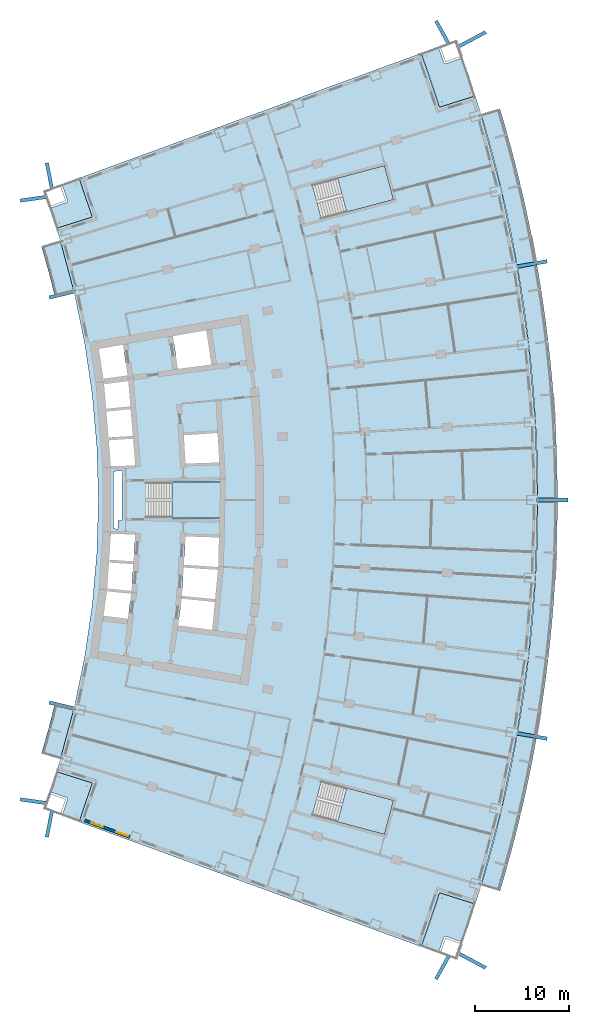
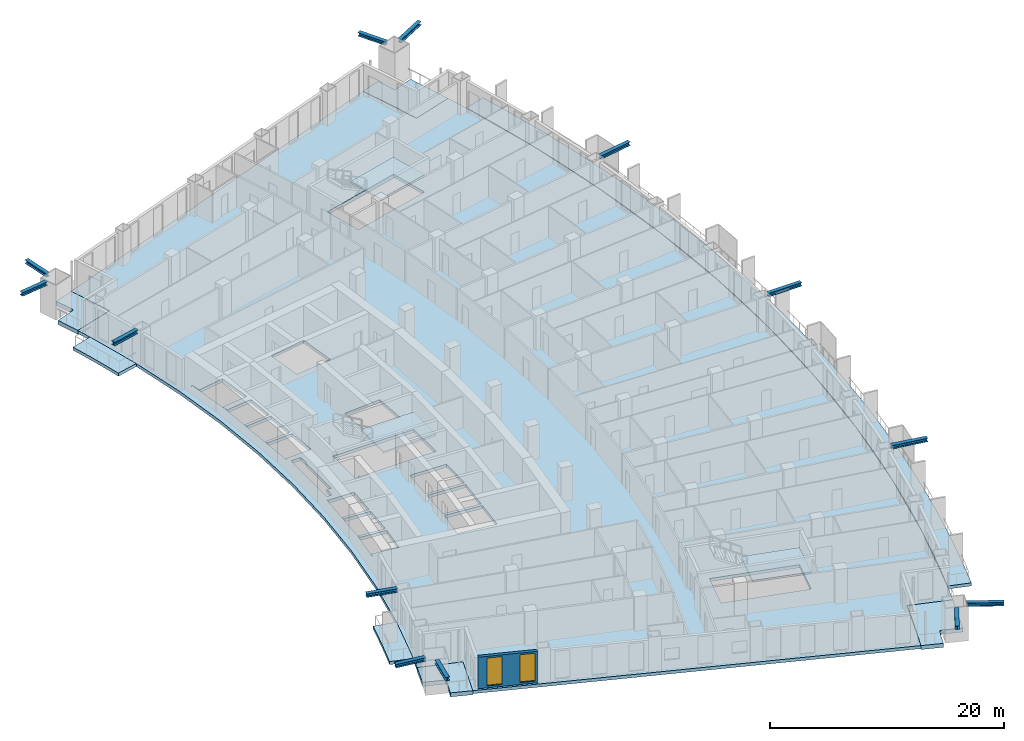
# One storey, part 10 of 23: 13 members, 11 slabs, 2 windows, 1 wall, 2 openings, 3 elements without a shape of their own.
"""IFC4 building model written with IfcOpenShell, lengths in metres."""

from ifc_helpers import new_model, si_unit, direction, frame, frame_2d, origin, origin_2d, place, context, subcontext, project, spatial, polyline, rectangle, i_section, outline, extrude, material, layer, layer_set, material_profile, profile_set, type_object, element, fill, aggregate, save


model = new_model("IFC4")

# Units and contexts
model_context = context("Model", 3, precision=1e-05, world=origin(), true_north=direction((0.0, 1.0)))
body_context = subcontext(model_context, "Body", "Model", "MODEL_VIEW")
ifc_project = project(units=[si_unit("LENGTHUNIT", "METRE"), si_unit("AREAUNIT", "SQUARE_METRE"), si_unit("VOLUMEUNIT", "CUBIC_METRE"), si_unit("PLANEANGLEUNIT", "RADIAN"), si_unit("MASSUNIT", "GRAM", prefix="KILO")], contexts=[model_context])

# Site, building, storey
site_placement = place(None, origin())
site = spatial("IfcSite", under=ifc_project, at=site_placement, CompositionType="ELEMENT")
building_placement = place(site_placement, origin())
building = spatial("IfcBuilding", under=site, at=building_placement, Name="Alderwake Tower", CompositionType="ELEMENT")
storey_placement = place(building_placement, frame((0.0, 0.0, 71.60009765625)))
storey = spatial("IfcBuildingStorey", under=building, at=storey_placement, Name="L17", CompositionType="ELEMENT", Elevation=71.60009765625)

# Members
ifc_material_1 = material(Name="Steel ASTM A992 Grade 50", Category="steel")
ifc_material_profile = material_profile(ifc_material_1, i_section(OverallWidth=0.3740234375, OverallDepth=0.372314453125, WebThickness=0.016357421875, FlangeThickness=0.026123046875, at=origin_2d()), Name="W14X132")
ifc_profile_set = profile_set([ifc_material_profile], Name="Steel ASTM A992 Grade 50")
member_type = type_object("IfcMemberType", Name="Brace node stub W14X132", PredefinedType="MEMBER", material=ifc_profile_set)
member_1_placement = place(storey_placement, frame((60.569580078125, 36.14599609375, 3.393798828125), z_axis=(0.98473254775, -0.174074149149, 0.0), x_axis=(0.174074149149, 0.98473254775, 0.0)))
element("IfcMember", 1, at=member_1_placement, inside=storey, type_object=member_type, Name="Brace node stub BS.FR04-C5.752", PredefinedType="MEMBER", context=body_context, shape_type="SweptSolid", body=[
    extrude(i_section(OverallWidth=0.3740234375, OverallDepth=0.372314453125, WebThickness=0.016357421875, FlangeThickness=0.026123046875, at=origin_2d()), origin(), (0.0, 0.0, 1.0), 3.279052734375),
])
member_2_placement = place(storey_placement, frame((54.426513671875, 12.6669921875, 3.393798828125), z_axis=(0.88226662738, -0.470750037931, 0.0), x_axis=(0.470750037931, 0.88226662738, 0.0)))
element("IfcMember", 2, at=member_2_placement, inside=storey, type_object=member_type, Name="Brace node stub BS.FR01-C5.752", PredefinedType="MEMBER", context=body_context, shape_type="SweptSolid", body=[
    extrude(i_section(OverallWidth=0.3740234375, OverallDepth=0.372314453125, WebThickness=0.016357421875, FlangeThickness=0.026123046875, at=origin_2d()), origin(), (0.0, 0.0, 1.0), 3.210693359375),
])
member_3_placement = place(storey_placement, frame((62.75, 61.0, 3.393798828125), z_axis=(1.0, 0.0, 0.0), x_axis=(0.0, 1.0, 0.0)))
element("IfcMember", 3, at=member_3_placement, inside=storey, type_object=member_type, Name="Brace node stub BS.FR07-C5.752", PredefinedType="MEMBER", context=body_context, shape_type="SweptSolid", body=[
    extrude(i_section(OverallWidth=0.3740234375, OverallDepth=0.372314453125, WebThickness=0.016357421875, FlangeThickness=0.026123046875, at=origin_2d()), origin(), (0.0, 0.0, 1.0), 3.279296875),
])
member_4_placement = place(storey_placement, frame((60.569580078125, 85.85400390625, 3.393798828125), z_axis=(0.98473254775, 0.174074149149, 0.0), x_axis=(-0.174074149149, 0.98473254775, 0.0)))
element("IfcMember", 4, at=member_4_placement, inside=storey, type_object=member_type, Name="Brace node stub BS.FR10-C5.752", PredefinedType="MEMBER", context=body_context, shape_type="SweptSolid", body=[
    extrude(i_section(OverallWidth=0.3740234375, OverallDepth=0.372314453125, WebThickness=0.016357421875, FlangeThickness=0.026123046875, at=origin_2d()), origin(), (0.0, 0.0, 1.0), 3.279052734375),
])
member_5_placement = place(storey_placement, frame((54.426513671875, 109.3330078125, 3.393798828125), z_axis=(0.88226662738, 0.470750037931, 0.0), x_axis=(-0.470750037931, 0.88226662738, 0.0)))
element("IfcMember", 5, at=member_5_placement, inside=storey, type_object=member_type, Name="Brace node stub BS.FR13-C5.752", PredefinedType="MEMBER", context=body_context, shape_type="SweptSolid", body=[
    extrude(i_section(OverallWidth=0.3740234375, OverallDepth=0.372314453125, WebThickness=0.016357421875, FlangeThickness=0.026123046875, at=origin_2d()), origin(), (0.0, 0.0, 1.0), 3.210693359375),
])
member_6_placement = place(storey_placement, frame((13.447021484375, 38.791259765625, 3.393798828125), z_axis=(-0.972901186982, 0.231221280097, 0.0), x_axis=(-0.231221280097, -0.972901186982, 0.0)))
element("IfcMember", 6, at=member_6_placement, inside=storey, type_object=member_type, Name="Brace node stub BS.RR03-C0.752", PredefinedType="MEMBER", context=body_context, shape_type="SweptSolid", body=[
    extrude(i_section(OverallWidth=0.3740234375, OverallDepth=0.372314453125, WebThickness=0.016357421875, FlangeThickness=0.026123046875, at=origin_2d()), origin(), (0.0, 0.0, 1.0), 2.755859375),
])
member_7_placement = place(storey_placement, frame((10.357421875, 28.724365234375, 3.393798828125), z_axis=(-0.989981884743, 0.141194432898, 0.0), x_axis=(-0.141194432898, -0.989981884743, 0.0)))
element("IfcMember", 7, at=member_7_placement, inside=storey, type_object=member_type, Name="Brace node stub BS.RR01-C0.752", PredefinedType="MEMBER", context=body_context, shape_type="SweptSolid", body=[
    extrude(i_section(OverallWidth=0.3740234375, OverallDepth=0.372314453125, WebThickness=0.016357421875, FlangeThickness=0.026123046875, at=origin_2d()), origin(), (0.0, 0.0, 1.0), 2.711181640625),
])
member_8_placement = place(storey_placement, frame((13.447021484375, 83.208740234375, 3.393798828125), z_axis=(-0.972901186982, -0.231221280097, 0.0), x_axis=(0.231221280097, -0.972901186982, 0.0)))
element("IfcMember", 8, at=member_8_placement, inside=storey, type_object=member_type, Name="Brace node stub BS.RR11-C0.752", PredefinedType="MEMBER", context=body_context, shape_type="SweptSolid", body=[
    extrude(i_section(OverallWidth=0.3740234375, OverallDepth=0.372314453125, WebThickness=0.016357421875, FlangeThickness=0.026123046875, at=origin_2d()), origin(), (0.0, 0.0, 1.0), 2.755859375),
])
member_9_placement = place(storey_placement, frame((10.357421875, 93.275634765625, 3.393798828125), z_axis=(-0.989981884743, -0.141194432898, 0.0), x_axis=(0.141194432898, -0.989981884743, 0.0)))
element("IfcMember", 9, at=member_9_placement, inside=storey, type_object=member_type, Name="Brace node stub BS.RR13-C0.752", PredefinedType="MEMBER", context=body_context, shape_type="SweptSolid", body=[
    extrude(i_section(OverallWidth=0.3740234375, OverallDepth=0.372314453125, WebThickness=0.016357421875, FlangeThickness=0.026123046875, at=origin_2d()), origin(), (0.0, 0.0, 1.0), 2.711181640625),
])
member_10_placement = place(storey_placement, frame((53.3115234375, 12.388671875, 3.393798828125), z_axis=(-0.483188735357, -0.875516216882, 0.0), x_axis=(0.875516216882, -0.483188735357, 0.0)))
element("IfcMember", 10, at=member_10_placement, inside=storey, type_object=member_type, Name="Brace node stub BS.SR01-C5.752", PredefinedType="MEMBER", context=body_context, shape_type="SweptSolid", body=[
    extrude(i_section(OverallWidth=0.3740234375, OverallDepth=0.372314453125, WebThickness=0.016357421875, FlangeThickness=0.026123046875, at=origin_2d()), origin(), (0.0, 0.0, 1.0), 2.781005859375),
])
member_11_placement = place(storey_placement, frame((11.040283203125, 27.823974609375, 3.393798828125), z_axis=(-0.191481546022, -0.981496213713, 0.0), x_axis=(0.981496213713, -0.191481546022, 0.0)))
element("IfcMember", 11, at=member_11_placement, inside=storey, type_object=member_type, Name="Brace node stub BS.SR01-C0.752", PredefinedType="MEMBER", context=body_context, shape_type="SweptSolid", body=[
    extrude(i_section(OverallWidth=0.3740234375, OverallDepth=0.372314453125, WebThickness=0.016357421875, FlangeThickness=0.026123046875, at=origin_2d()), origin(), (0.0, 0.0, 1.0), 2.787109375),
])
member_12_placement = place(storey_placement, frame((53.3115234375, 109.611328125, 3.393798828125), z_axis=(-0.483188735357, 0.875516216882, 0.0), x_axis=(-0.875516216882, -0.483188735357, 0.0)))
element("IfcMember", 12, at=member_12_placement, inside=storey, type_object=member_type, Name="Brace node stub BS.NR13-C5.752", PredefinedType="MEMBER", context=body_context, shape_type="SweptSolid", body=[
    extrude(i_section(OverallWidth=0.3740234375, OverallDepth=0.372314453125, WebThickness=0.016357421875, FlangeThickness=0.026123046875, at=origin_2d()), origin(), (0.0, 0.0, 1.0), 2.781005859375),
])
member_13_placement = place(storey_placement, frame((11.040283203125, 94.176025390625, 3.393798828125), z_axis=(-0.191481546022, 0.981496213713, 0.0), x_axis=(-0.981496213713, -0.191481546022, 0.0)))
element("IfcMember", 13, at=member_13_placement, inside=storey, type_object=member_type, Name="Brace node stub BS.NR13-C0.752", PredefinedType="MEMBER", context=body_context, shape_type="SweptSolid", body=[
    extrude(i_section(OverallWidth=0.3740234375, OverallDepth=0.372314453125, WebThickness=0.016357421875, FlangeThickness=0.026123046875, at=origin_2d()), origin(), (0.0, 0.0, 1.0), 2.787109375),
])

# Slabs
ifc_material_2 = material(Name="Concrete C50/60", Category="concrete")
ifc_layer_1 = layer(ifc_material_2, 0.320068359375)
ifc_layer_set_1 = layer_set([ifc_layer_1], Name="Balcony slab 320")
slab_type_1 = type_object("IfcSlabType", Name="Balcony slab 320", PredefinedType="FLOOR", material=ifc_layer_set_1)
slab_1_placement = place(storey_placement, frame((0.0, 0.0, -0.320068359375)))
element("IfcSlab", 14, at=slab_1_placement, inside=storey, type_object=slab_type_1, Name="Balcony BF02", PredefinedType="FLOOR", context=body_context, shape_type="SweptSolid", body=[
    extrude(outline(polyline([(58.7802734375, 19.334228515625), (59.373046875, 21.3623046875), (59.936279296875, 23.399169921875), (60.4697265625, 25.443603515625), (60.973388671875, 27.49609375), (61.447021484375, 29.555419921875), (61.890380859375, 31.621337890625), (62.3037109375, 33.693603515625), (62.68701171875, 35.771728515625), (63.03955078125, 37.855224609375), (63.36181640625, 39.943603515625), (63.65380859375, 42.036376953125), (63.9150390625, 44.13330078125), (64.145751953125, 46.23388671875), (64.345703125, 48.33740234375), (64.514892578125, 50.443603515625), (64.653564453125, 52.55224609375), (64.76123046875, 54.66259765625), (64.83837890625, 56.7744140625), (64.884521484375, 58.886962890625), (64.89990234375, 61.0), (64.884521484375, 63.113037109375), (64.83837890625, 65.2255859375), (64.76123046875, 67.33740234375), (64.653564453125, 69.44775390625), (64.514892578125, 71.556396484375), (64.345703125, 73.66259765625), (64.145751953125, 75.76611328125), (63.9150390625, 77.86669921875), (63.65380859375, 79.963623046875), (63.36181640625, 82.056396484375), (63.03955078125, 84.144775390625), (62.68701171875, 86.228271484375), (62.3037109375, 88.306396484375), (61.890380859375, 90.378662109375), (61.447021484375, 92.444580078125), (60.973388671875, 94.50390625), (60.4697265625, 96.556396484375), (59.936279296875, 98.600830078125), (59.373046875, 100.6376953125), (58.7802734375, 102.665771484375), (56.76904296875, 102.06201171875), (57.353271484375, 100.06298828125), (57.908203125, 98.055908203125), (58.43408203125, 96.041015625), (58.930419921875, 94.0185546875), (59.39697265625, 91.989013671875), (59.833984375, 89.952880859375), (60.241455078125, 87.91064453125), (60.618896484375, 85.862548828125), (60.966552734375, 83.809326171875), (61.2841796875, 81.751220703125), (61.57177734375, 79.688720703125), (61.829345703125, 77.622314453125), (62.056640625, 75.55224609375), (62.253662109375, 73.47900390625), (62.42041015625, 71.4033203125), (62.55712890625, 69.3251953125), (62.663330078125, 67.24560546875), (62.7392578125, 65.164306640625), (62.784912109375, 63.08251953125), (62.800048828125, 61.0), (62.784912109375, 58.91748046875), (62.7392578125, 56.835693359375), (62.663330078125, 54.75439453125), (62.55712890625, 52.6748046875), (62.42041015625, 50.5966796875), (62.253662109375, 48.52099609375), (62.056640625, 46.44775390625), (61.829345703125, 44.377685546875), (61.57177734375, 42.311279296875), (61.2841796875, 40.248779296875), (60.966552734375, 38.190673828125), (60.618896484375, 36.137451171875), (60.241455078125, 34.08935546875), (59.833984375, 32.047119140625), (59.39697265625, 30.010986328125), (58.930419921875, 27.9814453125), (58.43408203125, 25.958984375), (57.908203125, 23.944091796875), (57.353271484375, 21.93701171875), (56.76904296875, 19.93798828125), (58.7802734375, 19.334228515625)])), origin(), (0.0, 0.0, 1.0), 0.320068359375),
])
slab_2_placement = place(storey_placement, frame((0.0, 0.0, -0.320068359375)))
element("IfcSlab", 15, at=slab_2_placement, inside=storey, type_object=slab_type_1, Name="Balcony BR02", PredefinedType="FLOOR", context=body_context, shape_type="SweptSolid", body=[
    extrude(outline(polyline([(9.93408203125, 33.999267578125), (11.945556640625, 33.395263671875), (13.3984375, 38.802734375), (11.35546875, 39.288330078125), (11.029052734375, 37.95849609375), (10.683349609375, 36.63330078125), (10.318359375, 35.3134765625), (9.93408203125, 33.999267578125)])), origin(), (0.0, 0.0, 1.0), 0.320068359375),
])
slab_3_placement = place(storey_placement, frame((0.0, 0.0, -0.320068359375)))
element("IfcSlab", 16, at=slab_3_placement, inside=storey, type_object=slab_type_1, Name="Balcony BR11", PredefinedType="FLOOR", context=body_context, shape_type="SweptSolid", body=[
    extrude(outline(polyline([(11.35546875, 82.711669921875), (13.3984375, 83.197265625), (11.945556640625, 88.604736328125), (9.93408203125, 88.000732421875), (10.318359375, 86.6865234375), (10.683349609375, 85.36669921875), (11.029052734375, 84.04150390625), (11.35546875, 82.711669921875)])), origin(), (0.0, 0.0, 1.0), 0.320068359375),
])
ifc_material_3 = material(Name="Concrete C50/60", Category="concrete")
ifc_layer_2 = layer(ifc_material_3, 0.320068359375)
ifc_layer_set_2 = layer_set([ifc_layer_2], Name="Concrete C50/60 post-tensioned flat plate 320")
slab_type_2 = type_object("IfcSlabType", Name="Concrete C50/60 post-tensioned flat plate 320", PredefinedType="FLOOR", material=ifc_layer_set_2)
slab_4_placement = place(storey_placement, frame((0.0, 0.0, -0.320068359375)))
element("IfcSlab", 17, at=slab_4_placement, inside=storey, type_object=slab_type_2, Name="Floor slab L17", PredefinedType="FLOOR", context=body_context, shape_type="SweptSolid", body=[
    extrude(outline(polyline([(11.533203125, 32.057373046875), (11.945556640625, 33.395263671875), (13.3984375, 38.802734375), (14.53369140625, 44.28564453125), (15.347412109375, 49.825439453125), (15.836669921875, 55.4033203125), (16.0, 61.0), (15.836669921875, 66.5966796875), (15.347412109375, 72.174560546875), (14.53369140625, 77.71435546875), (13.3984375, 83.197265625), (11.945556640625, 88.604736328125), (11.533203125, 89.942626953125), (15.34716796875, 91.1484375), (13.937255859375, 95.289794921875), (50.385009765625, 108.59423828125), (52.341796875, 102.84619140625), (56.155517578125, 104.052001953125), (56.76904296875, 102.06201171875), (58.930419921875, 94.0185546875), (60.618896484375, 85.862548828125), (61.829345703125, 77.622314453125), (62.55712890625, 69.3251953125), (62.800048828125, 61.0), (62.55712890625, 52.6748046875), (61.829345703125, 44.377685546875), (60.618896484375, 36.137451171875), (58.930419921875, 27.9814453125), (56.76904296875, 19.93798828125), (56.155517578125, 17.947998046875), (52.341796875, 19.15380859375), (50.385009765625, 13.40576171875), (13.937255859375, 26.710205078125), (15.34716796875, 30.8515625), (11.533203125, 32.057373046875)]), holes=[polyline([(16.943359375, 51.26953125), (16.9580078125, 51.4189453125), (16.972900390625, 51.568115234375), (19.525146484375, 51.31591796875), (19.71630859375, 54.164794921875), (17.153564453125, 54.33642578125), (17.16357421875, 54.486083984375), (17.173583984375, 54.6357421875), (19.736083984375, 54.464111328125), (19.92724609375, 57.312744140625), (17.364013671875, 57.403564453125), (17.369140625, 57.553466796875), (17.33935546875, 57.554443359375), (17.1337890625, 54.48828125), (16.927978515625, 51.421875), (16.92822265625, 51.421875), (16.50927734375, 48.377197265625), (16.5390625, 48.373291015625), (16.577880859375, 48.6708984375), (19.138671875, 48.3359375), (19.495361328125, 51.017333984375), (16.943359375, 51.26953125)]), polyline([(29.0, 62.875), (21.050048828125, 62.875), (21.050048828125, 59.125), (29.0, 59.125), (29.0, 62.875)]), polyline([(19.688720703125, 67.53271484375), (17.12548828125, 67.361083984375), (17.115478515625, 67.510498046875), (17.10546875, 67.660400390625), (19.6640625, 67.831787109375), (19.42822265625, 70.674560546875), (16.87646484375, 70.42236328125), (16.86181640625, 70.571533203125), (16.846923828125, 70.720947265625), (19.403564453125, 70.973388671875), (19.179931640625, 73.66943359375), (16.646484375, 73.338134765625), (16.607666015625, 73.635498046875), (16.56884765625, 73.93310546875), (19.111083984375, 74.265625), (18.6240234375, 77.531982421875), (18.919921875, 77.575927734375), (18.916748046875, 77.593994140625), (16.082275390625, 77.10546875), (15.9345703125, 77.9619140625), (15.634765625, 77.908935546875), (15.63525390625, 77.9052734375), (15.9140625, 77.9482421875), (16.57763671875, 73.631591796875), (16.578369140625, 73.626220703125), (16.831787109375, 70.568603515625), (17.085693359375, 67.508544921875), (17.33935546875, 64.4482421875), (17.33935546875, 64.445556640625), (17.369384765625, 64.446533203125), (17.364013671875, 64.596435546875), (19.9248046875, 64.687255859375), (19.688720703125, 67.53271484375)]), polyline([(47.436279296875, 28.996826171875), (39.754150390625, 31.043212890625), (38.7890625, 27.41943359375), (46.47119140625, 25.373291015625), (47.436279296875, 28.996826171875)]), polyline([(24.87451171875, 50.48583984375), (24.878662109375, 50.52783203125), (24.875, 50.5283203125), (24.48974609375, 47.635986328125), (28.117919921875, 47.16162109375), (28.40478515625, 50.136962890625), (24.87451171875, 50.48583984375)]), polyline([(25.080810546875, 53.804931640625), (24.89501953125, 50.731201171875), (24.898681640625, 50.730712890625), (24.904052734375, 50.784423828125), (28.43359375, 50.435546875), (28.735107421875, 53.56005859375), (25.080810546875, 53.804931640625)]), polyline([(28.83740234375, 56.997314453125), (25.281494140625, 57.123291015625), (25.09912109375, 54.1044921875), (28.759521484375, 53.859130859375), (28.7578125, 53.8359375), (28.76171875, 53.835693359375), (28.769287109375, 53.915283203125), (28.83740234375, 56.997314453125)]), polyline([(28.873779296875, 65.00390625), (28.689453125, 68.13623046875), (25.101318359375, 67.895751953125), (25.2822265625, 64.876708984375), (28.873779296875, 65.00390625)]), polyline([(27.490966796875, 79.072021484375), (23.932373046875, 78.45849609375), (23.93310546875, 78.454833984375), (23.9443359375, 78.45654296875), (24.4697265625, 74.972412109375), (24.36474609375, 74.95654296875), (24.365478515625, 74.952880859375), (28.0400390625, 75.433349609375), (27.490966796875, 79.072021484375)]), polyline([(46.47119140625, 96.626708984375), (38.7890625, 94.58056640625), (39.754150390625, 90.956787109375), (47.436279296875, 93.003173828125), (46.47119140625, 96.626708984375)]), polyline([(17.58935546875, 64.05419921875), (17.58935546875, 57.94580078125), (18.065673828125, 57.928955078125), (18.090576171875, 58.84326171875), (18.544189453125, 58.8310546875), (18.529296875, 58.8681640625), (18.5234375, 58.89208984375), (18.5185546875, 58.94091796875), (18.5185546875, 63.060302734375), (18.5234375, 63.109130859375), (18.53759765625, 63.156005859375), (18.560791015625, 63.19921875), (18.588623046875, 63.233642578125), (18.565185546875, 64.088623046875), (17.58935546875, 64.05419921875)])]), origin(), (0.0, 0.0, 1.0), 0.320068359375),
])

# Stair, slab
ifc_material_4 = material(Name="Concrete C40/50", Category="concrete")
stair_type = type_object("IfcStairType", Name="Core exit stair", PredefinedType="HALF_TURN_STAIR", material=ifc_material_4)
stair_1_placement = place(storey_placement, origin())
stair_1 = element("IfcStair", 18, at=stair_1_placement, inside=storey, type_object=stair_type, Name="L17 Exit Stair B", PredefinedType="HALF_TURN_STAIR")
ifc_material_5 = material(Name="Concrete C40/50", Category="concrete")
ifc_layer_3 = layer(ifc_material_5, 0.199951171875)
ifc_layer_set_3 = layer_set([ifc_layer_3], Name="Core stair landing 200")
slab_type_3 = type_object("IfcSlabType", Name="Core stair landing 200", PredefinedType="LANDING", material=ifc_layer_set_3)
slab_5_placement = place(storey_placement, frame((0.0, 0.0, 1.599853515625)))
slab_5 = element("IfcSlab", 19, at=slab_5_placement, type_object=slab_type_3, Name="ST-B landing 1", PredefinedType="LANDING", context=body_context, shape_type="SweptSolid", body=[
    extrude(outline(polyline([(23.830078125, 59.074951171875), (29.0, 59.074951171875), (29.0, 62.925048828125), (23.830078125, 62.925048828125), (23.830078125, 59.074951171875)])), origin(), (0.0, 0.0, 1.0), 0.199951171875),
])
aggregate(stair_1, [slab_5])

stair_2_placement = place(storey_placement, origin())
stair_2 = element("IfcStair", 20, at=stair_2_placement, inside=storey, type_object=stair_type, Name="L17 Exit Stair A", PredefinedType="HALF_TURN_STAIR")
slab_6_placement = place(storey_placement, frame((0.0, 0.0, 1.599853515625)))
slab_6 = element("IfcSlab", 21, at=slab_6_placement, type_object=slab_type_3, Name="ST-A landing 1", PredefinedType="LANDING", context=body_context, shape_type="SweptSolid", body=[
    extrude(outline(polyline([(42.440673828125, 91.67236328125), (47.436279296875, 93.003173828125), (46.47119140625, 96.626708984375), (41.475341796875, 95.296142578125), (42.440673828125, 91.67236328125)])), origin(), (0.0, 0.0, 1.0), 0.199951171875),
])
aggregate(stair_2, [slab_6])

stair_3_placement = place(storey_placement, origin())
stair_3 = element("IfcStair", 22, at=stair_3_placement, inside=storey, type_object=stair_type, Name="L17 Exit Stair C", PredefinedType="HALF_TURN_STAIR")
slab_7_placement = place(storey_placement, frame((0.0, 0.0, 1.599853515625)))
slab_7 = element("IfcSlab", 23, at=slab_7_placement, type_object=slab_type_3, Name="ST-C landing 1", PredefinedType="LANDING", context=body_context, shape_type="SweptSolid", body=[
    extrude(outline(polyline([(41.475341796875, 26.703857421875), (46.47119140625, 25.373291015625), (47.436279296875, 28.996826171875), (42.4404296875, 30.32763671875), (41.475341796875, 26.703857421875)])), origin(), (0.0, 0.0, 1.0), 0.199951171875),
])
aggregate(stair_3, [slab_7])

# Slabs
ifc_material_6 = material(Name="Concrete C50/60", Category="concrete")
ifc_layer_4 = layer(ifc_material_6, 0.419921875)
ifc_layer_set_4 = layer_set([ifc_layer_4], Name="Terrace slab 420")
slab_type_4 = type_object("IfcSlabType", Name="Terrace slab 420", PredefinedType="FLOOR", material=ifc_layer_set_4)
slab_8_placement = place(storey_placement, frame((0.0, 0.0, -0.420166015625)))
element("IfcSlab", 24, at=slab_8_placement, inside=storey, type_object=slab_type_4, Name="Corner terrace FS", PredefinedType="FLOOR", context=body_context, shape_type="SweptSolid", body=[
    extrude(outline(polyline([(54.84228515625, 13.99560546875), (54.798828125, 13.87451171875), (53.0146484375, 14.512939453125), (53.00048828125, 14.51708984375), (52.986083984375, 14.52001953125), (52.971435546875, 14.521484375), (52.956787109375, 14.521484375), (52.94189453125, 14.52001953125), (52.927490234375, 14.51708984375), (52.91357421875, 14.512939453125), (52.89990234375, 14.50732421875), (52.886962890625, 14.50048828125), (52.874755859375, 14.4921875), (52.86328125, 14.48291015625), (52.852783203125, 14.472412109375), (52.843505859375, 14.461181640625), (52.83544921875, 14.44873046875), (52.828369140625, 14.435791015625), (52.82275390625, 14.42236328125), (52.219482421875, 12.736083984375), (50.385009765625, 13.40576171875), (51.065185546875, 15.312255859375), (51.71728515625, 17.228515625), (52.341796875, 19.15380859375), (56.155517578125, 17.947998046875), (55.51318359375, 15.967041015625), (54.84228515625, 13.99560546875)])), origin(), (0.0, 0.0, 1.0), 0.420166015625),
])
slab_9_placement = place(storey_placement, frame((0.0, 0.0, -0.420166015625)))
element("IfcSlab", 25, at=slab_9_placement, inside=storey, type_object=slab_type_4, Name="Corner terrace RS", PredefinedType="FLOOR", context=body_context, shape_type="SweptSolid", body=[
    extrude(outline(polyline([(13.937255859375, 26.710205078125), (12.10888671875, 27.377685546875), (12.114013671875, 27.39013671875), (12.71533203125, 29.086669921875), (12.7197265625, 29.100830078125), (12.722412109375, 29.115234375), (12.723876953125, 29.1298828125), (12.723876953125, 29.14453125), (12.722412109375, 29.1591796875), (12.719482421875, 29.173583984375), (12.715087890625, 29.187744140625), (12.70947265625, 29.201416015625), (12.702392578125, 29.21435546875), (12.6943359375, 29.2265625), (12.684814453125, 29.23779296875), (12.674560546875, 29.248291015625), (12.6630859375, 29.257568359375), (12.65087890625, 29.265625), (12.6376953125, 29.272705078125), (12.624267578125, 29.2783203125), (10.82568359375, 29.915771484375), (11.101318359375, 30.7255859375), (11.533203125, 32.057373046875), (15.34716796875, 30.8515625), (13.937255859375, 26.710205078125)])), origin(), (0.0, 0.0, 1.0), 0.420166015625),
])
slab_10_placement = place(storey_placement, frame((0.0, 0.0, -0.420166015625)))
element("IfcSlab", 26, at=slab_10_placement, inside=storey, type_object=slab_type_4, Name="Corner terrace FN", PredefinedType="FLOOR", context=body_context, shape_type="SweptSolid", body=[
    extrude(outline(polyline([(54.84228515625, 108.00439453125), (55.51318359375, 106.032958984375), (56.155517578125, 104.052001953125), (52.341796875, 102.84619140625), (51.71728515625, 104.771484375), (51.065185546875, 106.687744140625), (50.385009765625, 108.59423828125), (52.219482421875, 109.263916015625), (52.82275390625, 107.57763671875), (52.828369140625, 107.564208984375), (52.83544921875, 107.55126953125), (52.843505859375, 107.538818359375), (52.852783203125, 107.527587890625), (52.86328125, 107.51708984375), (52.874755859375, 107.5078125), (52.886962890625, 107.49951171875), (52.89990234375, 107.49267578125), (52.91357421875, 107.487060546875), (52.927490234375, 107.48291015625), (52.94189453125, 107.47998046875), (52.956787109375, 107.478515625), (52.971435546875, 107.478515625), (52.986083984375, 107.47998046875), (53.00048828125, 107.48291015625), (53.0146484375, 107.487060546875), (54.798828125, 108.12548828125), (54.84228515625, 108.00439453125)])), origin(), (0.0, 0.0, 1.0), 0.420166015625),
])
slab_11_placement = place(storey_placement, frame((0.0, 0.0, -0.420166015625)))
element("IfcSlab", 27, at=slab_11_placement, inside=storey, type_object=slab_type_4, Name="Corner terrace RN", PredefinedType="FLOOR", context=body_context, shape_type="SweptSolid", body=[
    extrude(outline(polyline([(10.82568359375, 92.084228515625), (12.624267578125, 92.7216796875), (12.6376953125, 92.727294921875), (12.65087890625, 92.734375), (12.6630859375, 92.742431640625), (12.674560546875, 92.751708984375), (12.684814453125, 92.76220703125), (12.6943359375, 92.7734375), (12.702392578125, 92.78564453125), (12.70947265625, 92.798583984375), (12.715087890625, 92.812255859375), (12.719482421875, 92.826416015625), (12.722412109375, 92.8408203125), (12.723876953125, 92.85546875), (12.723876953125, 92.8701171875), (12.722412109375, 92.884765625), (12.7197265625, 92.899169921875), (12.71533203125, 92.913330078125), (12.114013671875, 94.60986328125), (12.10888671875, 94.622314453125), (13.937255859375, 95.289794921875), (15.34716796875, 91.1484375), (11.533203125, 89.942626953125), (11.101318359375, 91.2744140625), (10.82568359375, 92.084228515625)])), origin(), (0.0, 0.0, 1.0), 0.420166015625),
])

# Wall, openings, windows
ifc_material_7 = material(Name="Bronze metal cladding on lightweight framing")
ifc_layer_5 = layer(ifc_material_7, 0.300048828125)
ifc_layer_set_5 = layer_set([ifc_layer_5], Name="External wall EW2 bronze metal cladding")
wall_type = type_object("IfcWallType", Name="External wall EW2 bronze metal cladding", PredefinedType="SOLIDWALL", material=ifc_layer_set_5)
wall_placement = place(storey_placement, frame((14.523681640625, 26.86865234375, 0.0), z_axis=(0.0, 0.0, 1.0), x_axis=(0.939371865822, -0.342900127883, 0.0)))
wall = element("IfcWall", 28, at=wall_placement, inside=storey, type_object=wall_type, Name="External wall 4", PredefinedType="SOLIDWALL", context=body_context, shape_type="SweptSolid", body=[
    extrude(rectangle(XDim=5.149169921875, YDim=0.300048828125, at=frame_2d((2.57470703125, 0.0))), origin(), (0.0, 0.0, 1.0), 3.27978515625),
])
opening_1_placement = place(wall_placement, frame((0.775390625, 0.0, 0.199951171875)))
opening_1 = element("IfcOpeningElement", 29, at=opening_1_placement, cuts=wall, Name="Opening W1", PredefinedType="OPENING", context=body_context, shape_type="SweptSolid", body=[
    extrude(rectangle(XDim=1.300048828125, YDim=2.89990234375, at=frame_2d((0.64990234375, 1.449951171875))), frame((0.0, 0.159912109375, 0.0), z_axis=(0.0, -1.0, 0.0), x_axis=(1.0, 0.0, 0.0)), (0.0, 0.0, 1.0), 0.320068359375),
])
opening_2_placement = place(wall_placement, frame((3.626220703125, 0.0, 0.199951171875)))
opening_2 = element("IfcOpeningElement", 30, at=opening_2_placement, cuts=wall, Name="Opening W1", PredefinedType="OPENING", context=body_context, shape_type="SweptSolid", body=[
    extrude(rectangle(XDim=1.300048828125, YDim=2.89990234375, at=frame_2d((0.64990234375, 1.449951171875))), frame((0.0, 0.159912109375, 0.0), z_axis=(0.0, -1.0, 0.0), x_axis=(1.0, 0.0, 0.0)), (0.0, 0.0, 1.0), 0.320068359375),
])
ifc_material_8 = material(Name="Bronze tinted glass in aluminium frame", Category="aluminium")
window_type = type_object("IfcWindowType", Name="Window W1 tall fixed and vent", PartitioningType="DOUBLE_PANEL_VERTICAL", PredefinedType="WINDOW", material=ifc_material_8)
window_1_placement = place(opening_1_placement, origin())
window_1 = element("IfcWindow", 31, at=window_1_placement, inside=storey, type_object=window_type, Name="Window W1 tall fixed and vent", OverallHeight=2.89990234375, OverallWidth=1.300048828125, PartitioningType="DOUBLE_PANEL_VERTICAL", PredefinedType="WINDOW", context=body_context, shape_type="SweptSolid", body=[
    extrude(rectangle(XDim=1.300048828125, YDim=2.89990234375, at=frame_2d((0.64990234375, 1.449951171875))), frame((0.0, 0.030029296875, 0.0), z_axis=(0.0, -1.0, 0.0), x_axis=(1.0, 0.0, 0.0)), (0.0, 0.0, 1.0), 0.06005859375),
])
fill(opening_1, window_1)
window_2_placement = place(opening_2_placement, origin())
window_2 = element("IfcWindow", 32, at=window_2_placement, inside=storey, type_object=window_type, Name="Window W1 tall fixed and vent", OverallHeight=2.89990234375, OverallWidth=1.300048828125, PartitioningType="DOUBLE_PANEL_VERTICAL", PredefinedType="WINDOW", context=body_context, shape_type="SweptSolid", body=[
    extrude(rectangle(XDim=1.300048828125, YDim=2.89990234375, at=frame_2d((0.64990234375, 1.449951171875))), frame((0.0, 0.030029296875, 0.0), z_axis=(0.0, -1.0, 0.0), x_axis=(1.0, 0.0, 0.0)), (0.0, 0.0, 1.0), 0.06005859375),
])
fill(opening_2, window_2)

save(model, "model.ifc")
